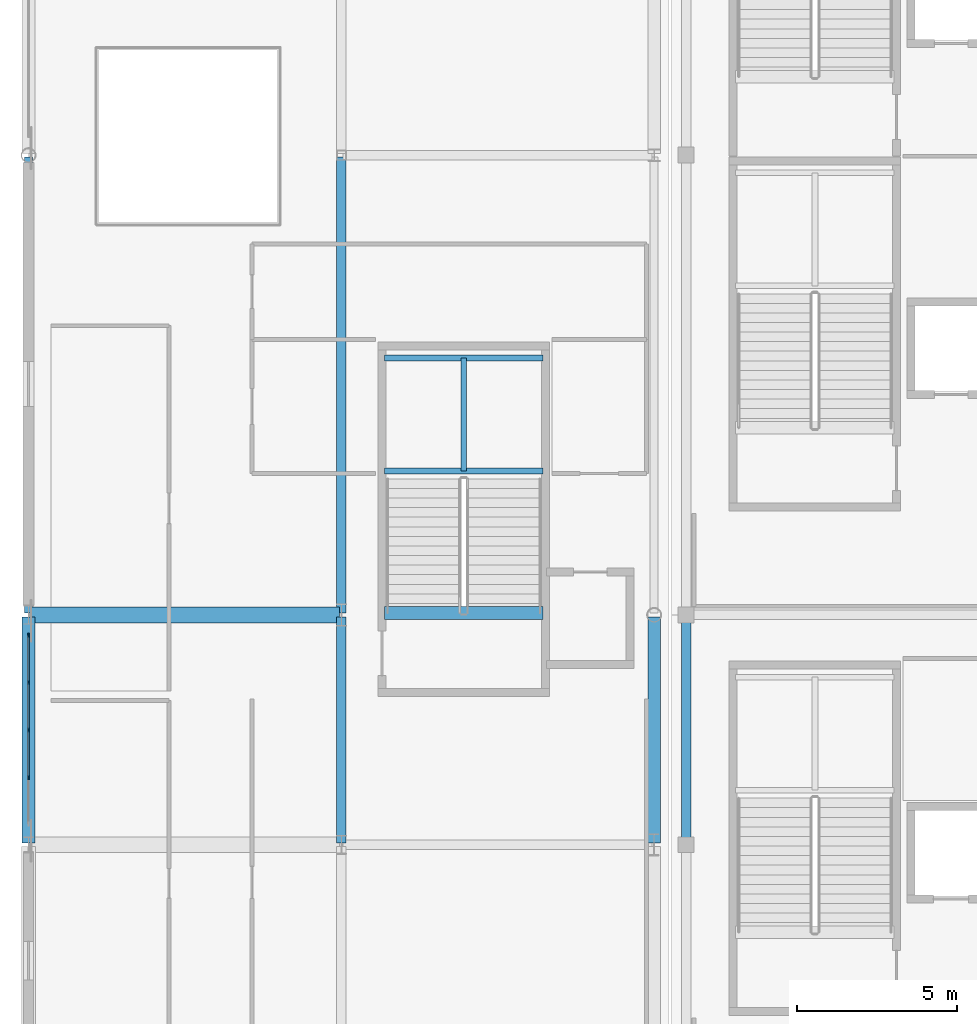
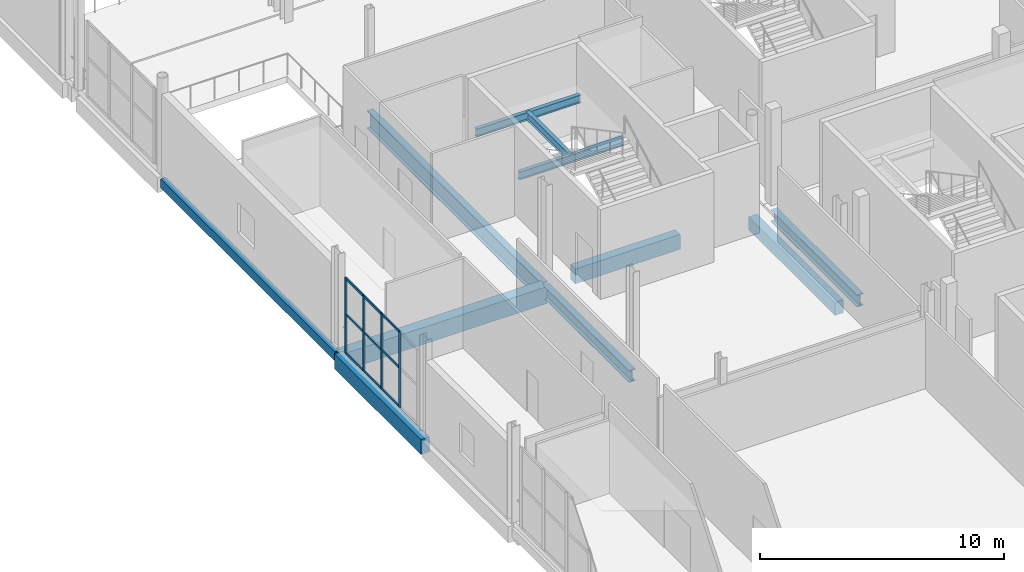
# One storey, part 20 of 129: 13 members, 11 beams, 1 element without a shape of its own.
"""IFC4 building model written with IfcOpenShell, lengths in metres."""

from ifc_helpers import new_model, si_unit, direction, frame, origin, origin_2d, place, context, subcontext, project, spatial, rectangle, hollow_rectangle, i_section, extrude, material, material_profile, profile_set, type_object, element, aggregate, save


model = new_model("IFC4")

# Units and contexts
model_context = context("Model", 3, precision=1e-05, world=origin(), true_north=direction((0.0, 1.0)))
body_context = subcontext(model_context, "Body", "Model", "MODEL_VIEW")
ifc_project = project(units=[si_unit("LENGTHUNIT", "METRE"), si_unit("AREAUNIT", "SQUARE_METRE"), si_unit("VOLUMEUNIT", "CUBIC_METRE"), si_unit("PLANEANGLEUNIT", "RADIAN"), si_unit("MASSUNIT", "GRAM", prefix="KILO")], contexts=[model_context])

# Site, building, storey
site_placement = place(None, origin())
site = spatial("IfcSite", under=ifc_project, at=site_placement, CompositionType="ELEMENT")
building_placement = place(site_placement, origin())
building = spatial("IfcBuilding", under=site, at=building_placement, Name="Koshinbarg Plaza Stadium", CompositionType="ELEMENT")
storey_placement = place(building_placement, frame((0.0, 0.0, 5.39990234375)))
storey = spatial("IfcBuildingStorey", under=building, at=storey_placement, Name="L01", CompositionType="ELEMENT", Elevation=5.39990234375)

# Beams
ifc_material_1 = material(Name="Concrete C40/50", Category="concrete")
ifc_material_profile_1 = material_profile(ifc_material_1, rectangle(XDim=0.39990234375, YDim=0.64990234375, at=origin_2d()), Name="RC 400x650")
ifc_profile_set_1 = profile_set([ifc_material_profile_1], Name="Concrete C40/50")
beam_type_1 = type_object("IfcBeamType", Name="BM-RCG-02", PredefinedType="SPANDREL", material=ifc_profile_set_1)
beam_1_placement = place(storey_placement, frame((23.60009765625, 47.159912109375, -0.64501953125), z_axis=(0.0, 1.0, 0.0), x_axis=(-1.0, 0.0, 0.0)))
element("IfcBeam", 1, at=beam_1_placement, inside=storey, type_object=beam_type_1, Name="L01 Y girder 4/G-H", PredefinedType="SPANDREL", context=body_context, shape_type="SweptSolid", body=[
    extrude(rectangle(XDim=0.39990234375, YDim=0.64990234375, at=origin_2d()), origin(), (0.0, 0.0, 1.0), 7.080078125),
])
ifc_material_profile_2 = material_profile(ifc_material_1, rectangle(XDim=0.39990234375, YDim=0.75, at=origin_2d()), Name="RC 400x750")
ifc_profile_set_2 = profile_set([ifc_material_profile_2], Name="Concrete C40/50")
beam_type_2 = type_object("IfcBeamType", Name="BM-RCG-03", PredefinedType="USERDEFINED", material=ifc_profile_set_2)
beam_2_placement = place(storey_placement, frame((4.0, 47.159912109375, -0.69482421875), z_axis=(0.0, 1.0, 0.0), x_axis=(-1.0, 0.0, 0.0)))
element("IfcBeam", 2, at=beam_2_placement, inside=storey, type_object=beam_type_2, Name="L01 Y girder 2/G-H", ObjectType="GIRDER", PredefinedType="USERDEFINED", context=body_context, shape_type="SweptSolid", body=[
    extrude(rectangle(XDim=0.39990234375, YDim=0.75, at=origin_2d()), origin(), (0.0, 0.0, 1.0), 7.080078125),
])
beam_3_placement = place(storey_placement, frame((15.14990234375, 54.360107421875, -0.375), z_axis=(1.0, 0.0, 0.0), x_axis=(0.0, 1.0, 0.0)))
element("IfcBeam", 3, at=beam_3_placement, inside=storey, type_object=beam_type_2, Name="L01 stair landing header beam C16", ObjectType="GIRDER", PredefinedType="USERDEFINED", context=body_context, shape_type="SweptSolid", body=[
    extrude(rectangle(XDim=0.39990234375, YDim=0.75, at=origin_2d()), origin(), (0.0, 0.0, 1.0), 4.97021484375),
])
ifc_material_profile_3 = material_profile(ifc_material_1, rectangle(XDim=0.5, YDim=0.85009765625, at=origin_2d()), Name="RC 500x850")
ifc_profile_set_3 = profile_set([ifc_material_profile_3], Name="Concrete C40/50")
beam_type_3 = type_object("IfcBeamType", Name="BM-RCG-05", PredefinedType="USERDEFINED", material=ifc_profile_set_3)
beam_4_placement = place(storey_placement, frame((4.06005859375, 54.300048828125, -0.744873046875), z_axis=(1.0, 0.0, 0.0), x_axis=(0.0, 1.0, 0.0)))
element("IfcBeam", 4, at=beam_4_placement, inside=storey, type_object=beam_type_3, Name="L01 X girder H/2-3", ObjectType="GIRDER", PredefinedType="USERDEFINED", context=body_context, shape_type="SweptSolid", body=[
    extrude(rectangle(XDim=0.5, YDim=0.85009765625, at=origin_2d()), origin(), (0.0, 0.0, 1.0), 9.679931640625),
])
ifc_material_2 = material(Name="Steel S355", Category="steel")
ifc_material_profile_4 = material_profile(ifc_material_2, i_section(OverallWidth=0.179931640625, OverallDepth=0.39990234375, WebThickness=0.008544921875, FlangeThickness=0.013427734375, at=origin_2d()), Name="IPE 400")
ifc_profile_set_4 = profile_set([ifc_material_profile_4], Name="Steel S355")
beam_type_4 = type_object("IfcBeamType", Name="BM-SBM-01", PredefinedType="BEAM", material=ifc_profile_set_4)
for number, where, z_axis, x_axis, name in (
    (5, (15.14990234375, 58.81005859375, 1.880126953125), (1.0, 0.0, 0.0), (0.0, 1.0, 0.0), "L01 Protected Exit Stair C16 landing trimmer beam 1"),
    (6, (15.14990234375, 62.35009765625, 1.880126953125), (1.0, 0.0, 0.0), (0.0, 1.0, 0.0), "L01 Protected Exit Stair C16 landing trimmer beam 2"),
):
    element("IfcBeam", number, at=place(storey_placement, frame(where, z_axis=z_axis, x_axis=x_axis)), inside=storey, type_object=beam_type_4, Name=name, PredefinedType="BEAM", context=body_context, shape_type="SweptSolid", body=[
        extrude(i_section(OverallWidth=0.179931640625, OverallDepth=0.39990234375, WebThickness=0.008544921875, FlangeThickness=0.013427734375, at=origin_2d()), origin(), (0.0, 0.0, 1.0), 4.97021484375),
    ])
beam_5_placement = place(storey_placement, frame((17.635009765625, 58.81005859375, 1.880126953125), z_axis=(0.0, 1.0, 0.0), x_axis=(-1.0, 0.0, 0.0)))
element("IfcBeam", 7, at=beam_5_placement, inside=storey, type_object=beam_type_4, Name="L01 Protected Exit Stair C16 landing trimmer beam 3", PredefinedType="BEAM", context=body_context, shape_type="SweptSolid", body=[
    extrude(i_section(OverallWidth=0.179931640625, OverallDepth=0.39990234375, WebThickness=0.008544921875, FlangeThickness=0.013427734375, at=origin_2d()), origin(), (0.0, 0.0, 1.0), 3.5400390625),
])
ifc_material_profile_5 = material_profile(ifc_material_2, i_section(OverallWidth=0.300048828125, OverallDepth=0.60009765625, WebThickness=0.015380859375, FlangeThickness=0.030029296875, at=origin_2d()), Name="HEB 600")
ifc_profile_set_5 = profile_set([ifc_material_profile_5], Name="Steel S355")
beam_type_5 = type_object("IfcBeamType", Name="BM-SGIR-02", PredefinedType="USERDEFINED", material=ifc_profile_set_5)
for number, where, z_axis, x_axis, name in (
    (8, (13.800048828125, 47.159912109375, -0.619873046875), (0.0, 1.0, 0.0), (-1.0, 0.0, 0.0), "L01 Y girder 3/G-H"),
    (9, (24.60009765625, 47.159912109375, -0.619873046875), (0.0, 1.0, 0.0), (-1.0, 0.0, 0.0), "L01 Y girder 5/G-H"),
):
    element("IfcBeam", number, at=place(storey_placement, frame(where, z_axis=z_axis, x_axis=x_axis)), inside=storey, type_object=beam_type_5, Name=name, ObjectType="GIRDER", PredefinedType="USERDEFINED", context=body_context, shape_type="SweptSolid", body=[
        extrude(i_section(OverallWidth=0.300048828125, OverallDepth=0.60009765625, WebThickness=0.015380859375, FlangeThickness=0.030029296875, at=origin_2d()), origin(), (0.0, 0.0, 1.0), 7.080078125),
    ])
ifc_material_profile_6 = material_profile(ifc_material_2, i_section(OverallWidth=0.300048828125, OverallDepth=0.89990234375, WebThickness=0.0185546875, FlangeThickness=0.034912109375, at=origin_2d()), Name="HEB 900")
ifc_profile_set_6 = profile_set([ifc_material_profile_6], Name="Steel S355")
beam_type_6 = type_object("IfcBeamType", Name="BM-SGIR-05", PredefinedType="USERDEFINED", material=ifc_profile_set_6)
beam_6_placement = place(storey_placement, frame((13.800048828125, 54.360107421875, -0.77001953125), z_axis=(0.0, 1.0, 0.0), x_axis=(-1.0, 0.0, 0.0)))
element("IfcBeam", 10, at=beam_6_placement, inside=storey, type_object=beam_type_6, Name="L01 Y girder 3/H-J", ObjectType="GIRDER", PredefinedType="USERDEFINED", context=body_context, shape_type="SweptSolid", body=[
    extrude(i_section(OverallWidth=0.300048828125, OverallDepth=0.89990234375, WebThickness=0.0185546875, FlangeThickness=0.034912109375, at=origin_2d()), origin(), (0.0, 0.0, 1.0), 14.27978515625),
])
ifc_material_profile_7 = material_profile(ifc_material_2, hollow_rectangle(XDim=0.25, YDim=0.449951171875, WallThickness=0.01611328125, at=origin_2d()), Name="RHS 450x250x16")
ifc_profile_set_7 = profile_set([ifc_material_profile_7], Name="Steel S355")
beam_type_7 = type_object("IfcBeamType", Name="BM-SGIR-06", PredefinedType="USERDEFINED", material=ifc_profile_set_7)
beam_7_placement = place(storey_placement, frame((4.0, 54.360107421875, -0.544921875), z_axis=(0.0, 1.0, 0.0), x_axis=(-1.0, 0.0, 0.0)))
element("IfcBeam", 11, at=beam_7_placement, inside=storey, type_object=beam_type_7, Name="L01 Y girder 2/H-J", ObjectType="GIRDER", PredefinedType="USERDEFINED", context=body_context, shape_type="SweptSolid", body=[
    extrude(hollow_rectangle(XDim=0.25, YDim=0.449951171875, WallThickness=0.01611328125, at=origin_2d()), origin(), (0.0, 0.0, 1.0), 14.27978515625),
])

# Curtain wall, members
ifc_material_3 = material(Name="Thermally broken anodised aluminium and low-E double glazing", Category="aluminium")
curtain_wall_type = type_object("IfcCurtainWallType", Name="CW-SYS-05", PredefinedType="NOTDEFINED", material=ifc_material_3)
curtain_wall_placement = place(storey_placement, origin())
curtain_wall = element("IfcCurtainWall", 12, at=curtain_wall_placement, inside=storey, type_object=curtain_wall_type, Name="L01 unitised curtain wall CW-L01-004", PredefinedType="NOTDEFINED")
ifc_material_4 = material(Name="Anodised aluminium mullion", Category="aluminium")
ifc_material_profile_8 = material_profile(ifc_material_4, rectangle(XDim=0.06005859375, YDim=0.139892578125, at=origin_2d()), Name="ALU 60x140")
ifc_profile_set_8 = profile_set([ifc_material_profile_8], Name="Anodised aluminium mullion")
member_type_1 = type_object("IfcMemberType", Name="CW-MUL-01", PredefinedType="MULLION", material=ifc_profile_set_8)
member_1_placement = place(storey_placement, frame((4.0, 49.2099609375, 0.0), z_axis=(0.0, 0.0, 1.0), x_axis=(-1.0, 0.0, 0.0)))
member_1 = element("IfcMember", 13, at=member_1_placement, type_object=member_type_1, Name="CW05 mullion 2", PredefinedType="MULLION", context=body_context, shape_type="SweptSolid", body=[
    extrude(rectangle(XDim=0.06005859375, YDim=0.139892578125, at=origin_2d()), origin(), (0.0, 0.0, 1.0), 3.780029296875),
])
member_2_placement = place(storey_placement, frame((4.0, 50.699951171875, 0.0), z_axis=(0.0, 0.0, 1.0), x_axis=(-1.0, 0.0, 0.0)))
member_2 = element("IfcMember", 14, at=member_2_placement, type_object=member_type_1, Name="CW05 mullion 3", PredefinedType="MULLION", context=body_context, shape_type="SweptSolid", body=[
    extrude(rectangle(XDim=0.06005859375, YDim=0.139892578125, at=origin_2d()), origin(), (0.0, 0.0, 1.0), 3.780029296875),
])
member_3_placement = place(storey_placement, frame((4.0, 52.18994140625, 0.0), z_axis=(0.0, 0.0, 1.0), x_axis=(-1.0, 0.0, 0.0)))
member_3 = element("IfcMember", 15, at=member_3_placement, type_object=member_type_1, Name="CW05 mullion 4", PredefinedType="MULLION", context=body_context, shape_type="SweptSolid", body=[
    extrude(rectangle(XDim=0.06005859375, YDim=0.139892578125, at=origin_2d()), origin(), (0.0, 0.0, 1.0), 3.780029296875),
])
member_4_placement = place(storey_placement, frame((4.0, 53.64990234375, 0.0), z_axis=(0.0, 0.0, 1.0), x_axis=(-1.0, 0.0, 0.0)))
member_4 = element("IfcMember", 16, at=member_4_placement, type_object=member_type_1, Name="CW05 mullion 5", PredefinedType="MULLION", context=body_context, shape_type="SweptSolid", body=[
    extrude(rectangle(XDim=0.06005859375, YDim=0.139892578125, at=origin_2d()), origin(), (0.0, 0.0, 1.0), 3.780029296875),
])
ifc_material_5 = material(Name="Anodised aluminium transom", Category="aluminium")
ifc_material_profile_9 = material_profile(ifc_material_5, rectangle(XDim=0.06005859375, YDim=0.110107421875, at=origin_2d()), Name="ALU 60x110")
ifc_profile_set_9 = profile_set([ifc_material_profile_9], Name="Anodised aluminium transom")
member_type_2 = type_object("IfcMemberType", Name="CW-TRN-01", PredefinedType="USERDEFINED", material=ifc_profile_set_9)
member_5_placement = place(storey_placement, frame((4.0, 49.239990234375, 0.030029296875), z_axis=(0.0, 1.0, 0.0), x_axis=(-1.0, 0.0, 0.0)))
member_5 = element("IfcMember", 17, at=member_5_placement, type_object=member_type_2, Name="CW05 transom 2.1", ObjectType="TRANSOM", PredefinedType="USERDEFINED", context=body_context, shape_type="SweptSolid", body=[
    extrude(rectangle(XDim=0.06005859375, YDim=0.110107421875, at=origin_2d()), origin(), (0.0, 0.0, 1.0), 1.429931640625),
])
member_6_placement = place(storey_placement, frame((4.0, 49.239990234375, 1.965576171875), z_axis=(0.0, 1.0, 0.0), x_axis=(-1.0, 0.0, 0.0)))
member_6 = element("IfcMember", 18, at=member_6_placement, type_object=member_type_2, Name="CW05 transom 2.2", ObjectType="TRANSOM", PredefinedType="USERDEFINED", context=body_context, shape_type="SweptSolid", body=[
    extrude(rectangle(XDim=0.06005859375, YDim=0.110107421875, at=origin_2d()), origin(), (0.0, 0.0, 1.0), 1.429931640625),
])
member_7_placement = place(storey_placement, frame((4.0, 49.239990234375, 3.75), z_axis=(0.0, 1.0, 0.0), x_axis=(-1.0, 0.0, 0.0)))
member_7 = element("IfcMember", 19, at=member_7_placement, type_object=member_type_2, Name="CW05 transom 2.3", ObjectType="TRANSOM", PredefinedType="USERDEFINED", context=body_context, shape_type="SweptSolid", body=[
    extrude(rectangle(XDim=0.06005859375, YDim=0.110107421875, at=origin_2d()), origin(), (0.0, 0.0, 1.0), 1.429931640625),
])
member_8_placement = place(storey_placement, frame((4.0, 50.72998046875, 0.030029296875), z_axis=(0.0, 1.0, 0.0), x_axis=(-1.0, 0.0, 0.0)))
member_8 = element("IfcMember", 20, at=member_8_placement, type_object=member_type_2, Name="CW05 transom 3.1", ObjectType="TRANSOM", PredefinedType="USERDEFINED", context=body_context, shape_type="SweptSolid", body=[
    extrude(rectangle(XDim=0.06005859375, YDim=0.110107421875, at=origin_2d()), origin(), (0.0, 0.0, 1.0), 1.429931640625),
])
member_9_placement = place(storey_placement, frame((4.0, 50.72998046875, 1.965576171875), z_axis=(0.0, 1.0, 0.0), x_axis=(-1.0, 0.0, 0.0)))
member_9 = element("IfcMember", 21, at=member_9_placement, type_object=member_type_2, Name="CW05 transom 3.2", ObjectType="TRANSOM", PredefinedType="USERDEFINED", context=body_context, shape_type="SweptSolid", body=[
    extrude(rectangle(XDim=0.06005859375, YDim=0.110107421875, at=origin_2d()), origin(), (0.0, 0.0, 1.0), 1.429931640625),
])
member_10_placement = place(storey_placement, frame((4.0, 50.72998046875, 3.75), z_axis=(0.0, 1.0, 0.0), x_axis=(-1.0, 0.0, 0.0)))
member_10 = element("IfcMember", 22, at=member_10_placement, type_object=member_type_2, Name="CW05 transom 3.3", ObjectType="TRANSOM", PredefinedType="USERDEFINED", context=body_context, shape_type="SweptSolid", body=[
    extrude(rectangle(XDim=0.06005859375, YDim=0.110107421875, at=origin_2d()), origin(), (0.0, 0.0, 1.0), 1.429931640625),
])
member_11_placement = place(storey_placement, frame((4.0, 52.219970703125, 0.030029296875), z_axis=(0.0, 1.0, 0.0), x_axis=(-1.0, 0.0, 0.0)))
member_11 = element("IfcMember", 23, at=member_11_placement, type_object=member_type_2, Name="CW05 transom 4.1", ObjectType="TRANSOM", PredefinedType="USERDEFINED", context=body_context, shape_type="SweptSolid", body=[
    extrude(rectangle(XDim=0.06005859375, YDim=0.110107421875, at=origin_2d()), origin(), (0.0, 0.0, 1.0), 1.400146484375),
])
member_12_placement = place(storey_placement, frame((4.0, 52.219970703125, 1.965576171875), z_axis=(0.0, 1.0, 0.0), x_axis=(-1.0, 0.0, 0.0)))
member_12 = element("IfcMember", 24, at=member_12_placement, type_object=member_type_2, Name="CW05 transom 4.2", ObjectType="TRANSOM", PredefinedType="USERDEFINED", context=body_context, shape_type="SweptSolid", body=[
    extrude(rectangle(XDim=0.06005859375, YDim=0.110107421875, at=origin_2d()), origin(), (0.0, 0.0, 1.0), 1.400146484375),
])
member_13_placement = place(storey_placement, frame((4.0, 52.219970703125, 3.75), z_axis=(0.0, 1.0, 0.0), x_axis=(-1.0, 0.0, 0.0)))
member_13 = element("IfcMember", 25, at=member_13_placement, type_object=member_type_2, Name="CW05 transom 4.3", ObjectType="TRANSOM", PredefinedType="USERDEFINED", context=body_context, shape_type="SweptSolid", body=[
    extrude(rectangle(XDim=0.06005859375, YDim=0.110107421875, at=origin_2d()), origin(), (0.0, 0.0, 1.0), 1.400146484375),
])
aggregate(curtain_wall, [member_1, member_2, member_3, member_4, member_5, member_6, member_7, member_8, member_9, member_10, member_11, member_12, member_13])

save(model, "model.ifc")
